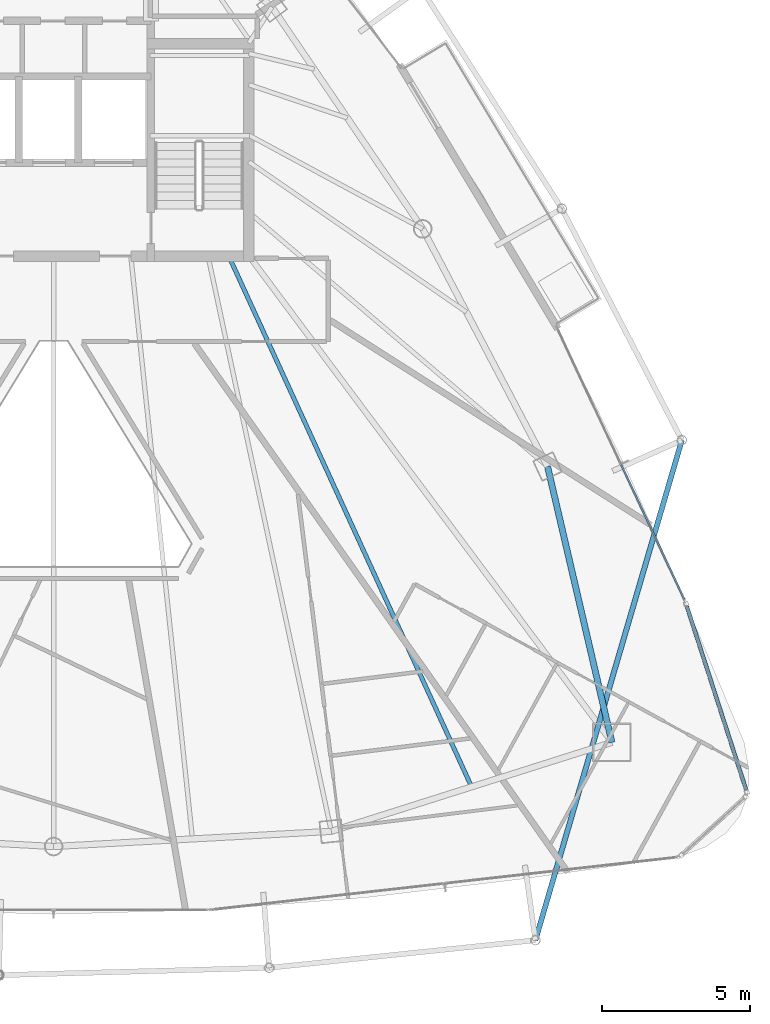
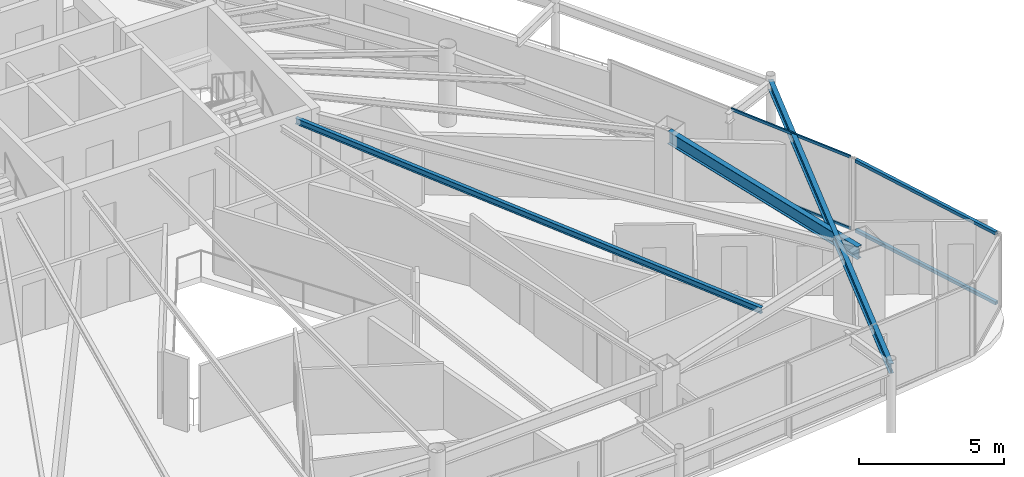
# One storey, part 17 of 33: 4 members, 3 beams, 2 elements without a shape of their own.
"""IFC4 building model written with IfcOpenShell, lengths in metres."""

from ifc_helpers import new_model, si_unit, direction, frame, origin, origin_2d, place, context, subcontext, project, spatial, hollow_rectangle, i_section, extrude, material, layer, layer_set, material_profile, profile_set, type_object, element, aggregate, save


model = new_model("IFC4")

# Units and contexts
model_context = context("Model", 3, precision=1e-05, world=origin(), true_north=direction((0.0, 1.0)))
body_context = subcontext(model_context, "Body", "Model", "MODEL_VIEW")
ifc_project = project(units=[si_unit("LENGTHUNIT", "METRE"), si_unit("AREAUNIT", "SQUARE_METRE"), si_unit("VOLUMEUNIT", "CUBIC_METRE"), si_unit("PLANEANGLEUNIT", "RADIAN"), si_unit("MASSUNIT", "GRAM", prefix="KILO")], contexts=[model_context])

# Site, building, storey
site_placement = place(None, origin())
site = spatial("IfcSite", under=ifc_project, at=site_placement, CompositionType="ELEMENT")
building_placement = place(site_placement, origin())
building = spatial("IfcBuilding", under=site, at=building_placement, Name="Orvanel Arch Residences", CompositionType="ELEMENT")
storey_placement = place(building_placement, frame((0.0, 0.0, 209.60009765625)))
storey = spatial("IfcBuildingStorey", under=building, at=storey_placement, Name="L59", CompositionType="ELEMENT", Elevation=209.60009765625)

# Beams
ifc_material_1 = material(Name="Structural steel AS/NZS 3679.1 Grade 300 (300 MPa)", Category="steel")
ifc_material_profile_1 = material_profile(ifc_material_1, i_section(OverallWidth=0.14599609375, OverallDepth=0.251953125, WebThickness=0.006103515625, FlangeThickness=0.008544921875, at=origin_2d()), Name="250UB31.4")
ifc_profile_set_1 = profile_set([ifc_material_profile_1], Name="Structural steel AS/NZS 3679.1 Grade 300 (300 MPa)")
beam_type_1 = type_object("IfcBeamType", Name="BJ-250UB", PredefinedType="JOIST", material=ifc_profile_set_1)
beam_1_placement = place(storey_placement, frame((38.89990234375, 26.72509765625, 2.933837890625), z_axis=(0.416009574066, -0.909360233508, 0.0), x_axis=(0.909360233508, 0.416009574066, 0.0)))
element("IfcBeam", 1, at=beam_1_placement, inside=storey, type_object=beam_type_1, Name="L59 JADD2 Wing Floor Joist", PredefinedType="JOIST", context=body_context, shape_type="SweptSolid", body=[
    extrude(i_section(OverallWidth=0.14599609375, OverallDepth=0.251953125, WebThickness=0.006103515625, FlangeThickness=0.008544921875, at=origin_2d()), origin(), (0.0, 0.0, 1.0), 19.653564453125),
])
ifc_material_profile_2 = material_profile(ifc_material_1, i_section(OverallWidth=0.177978515625, OverallDepth=0.406005859375, WebThickness=0.0078125, FlangeThickness=0.0126953125, at=origin_2d()), Name="410UB59.7")
ifc_profile_set_2 = profile_set([ifc_material_profile_2], Name="Structural steel AS/NZS 3679.1 Grade 300 (300 MPa)")
beam_type_2 = type_object("IfcBeamType", Name="OB-410UB-EXT", PredefinedType="SPANDREL", material=ifc_profile_set_2)
beam_2_placement = place(storey_placement, frame((49.22509765625, 3.68896484375, 2.85693359375), z_axis=(0.28109037373, 0.959681302202, 0.0), x_axis=(-0.959681302202, 0.28109037373, 0.0)))
element("IfcBeam", 2, at=beam_2_placement, inside=storey, type_object=beam_type_2, Name="L59 Outer Perimeter Floor Ring Beam 08", PredefinedType="SPANDREL", context=body_context, shape_type="SweptSolid", body=[
    extrude(i_section(OverallWidth=0.177978515625, OverallDepth=0.406005859375, WebThickness=0.0078125, FlangeThickness=0.0126953125, at=origin_2d()), origin(), (0.0, 0.0, 1.0), 17.545654296875),
])
ifc_material_profile_3 = material_profile(ifc_material_1, i_section(OverallWidth=0.208984375, OverallDepth=0.532958984375, WebThickness=0.01025390625, FlangeThickness=0.015625, at=origin_2d()), Name="530UB92.4")
ifc_profile_set_3 = profile_set([ifc_material_profile_3], Name="Structural steel AS/NZS 3679.1 Grade 300 (300 MPa)")
beam_type_3 = type_object("IfcBeamType", Name="SP-530UB", PredefinedType="SPANDREL", material=ifc_profile_set_3)
beam_3_placement = place(storey_placement, frame((51.801025390625, 10.35107421875, 2.79296875), z_axis=(-0.227236087167, 0.973839699688, 0.0), x_axis=(-0.973839699688, -0.227236087167, 0.0)))
element("IfcBeam", 3, at=beam_3_placement, inside=storey, type_object=beam_type_3, Name="L59 Perimeter Spandrel Beam 06", PredefinedType="SPANDREL", context=body_context, shape_type="SweptSolid", body=[
    extrude(i_section(OverallWidth=0.208984375, OverallDepth=0.532958984375, WebThickness=0.01025390625, FlangeThickness=0.015625, at=origin_2d()), origin(), (0.0, 0.0, 1.0), 9.54052734375),
])

# Curtain wall, members
ifc_material_2 = material(Name="Bronze-anodised aluminium AA6063-T6", Category="aluminium")
ifc_layer_1 = layer(ifc_material_2, 0.175048828125)
ifc_layer_set_1 = layer_set([ifc_layer_1], Name="Bronze-anodised aluminium AA6063-T6")
curtain_wall_type_1 = type_object("IfcCurtainWallType", Name="CW4-HI-SYS", PredefinedType="NOTDEFINED", material=ifc_layer_set_1)
curtain_wall_1_placement = place(storey_placement, origin())
curtain_wall_1 = element("IfcCurtainWall", 4, at=curtain_wall_1_placement, inside=storey, type_object=curtain_wall_type_1, Name="L59 CW4-HI-SYS Unitised Curtain Wall", PredefinedType="NOTDEFINED")
ifc_material_profile_4 = material_profile(ifc_material_2, hollow_rectangle(XDim=0.06005859375, YDim=0.1201171875, WallThickness=0.00341796875, at=origin_2d()), Name="ALU120x60x3.5")
ifc_profile_set_4 = profile_set([ifc_material_profile_4], Name="Bronze-anodised aluminium AA6063-T6")
member_type_1 = type_object("IfcMemberType", Name="TRN-120x60", PredefinedType="USERDEFINED", material=ifc_profile_set_4)
member_1_placement = place(storey_placement, frame((54.236328125, 15.1728515625, 0.02978515625), z_axis=(-0.424342503337, 0.90550176138, 0.0), x_axis=(-0.90550176138, -0.424342503337, 0.0)))
member_1 = element("IfcMember", 5, at=member_1_placement, type_object=member_type_1, Name="CW-S4 transom 1.1", ObjectType="TRANSOM", PredefinedType="USERDEFINED", context=body_context, shape_type="SweptSolid", body=[
    extrude(hollow_rectangle(XDim=0.06005859375, YDim=0.1201171875, WallThickness=0.00341796875, at=origin_2d()), origin(), (0.0, 0.0, 1.0), 4.997314453125),
])
member_2_placement = place(storey_placement, frame((54.236328125, 15.1728515625, 3.02978515625), z_axis=(-0.424342503337, 0.90550176138, 0.0), x_axis=(-0.90550176138, -0.424342503337, 0.0)))
member_2 = element("IfcMember", 6, at=member_2_placement, type_object=member_type_1, Name="CW-S4 transom 1.2", ObjectType="TRANSOM", PredefinedType="USERDEFINED", context=body_context, shape_type="SweptSolid", body=[
    extrude(hollow_rectangle(XDim=0.06005859375, YDim=0.1201171875, WallThickness=0.00341796875, at=origin_2d()), origin(), (0.0, 0.0, 1.0), 4.997314453125),
])
aggregate(curtain_wall_1, [member_1, member_2])

ifc_layer_2 = layer(ifc_material_2, 0.18994140625)
ifc_layer_set_2 = layer_set([ifc_layer_2], Name="Bronze-anodised aluminium AA6063-T6")
curtain_wall_type_2 = type_object("IfcCurtainWallType", Name="CW5-CRN-SYS", PredefinedType="NOTDEFINED", material=ifc_layer_set_2)
curtain_wall_2_placement = place(storey_placement, origin())
curtain_wall_2 = element("IfcCurtainWall", 7, at=curtain_wall_2_placement, inside=storey, type_object=curtain_wall_type_2, Name="L59 CW5-CRN-SYS Unitised Curtain Wall", PredefinedType="NOTDEFINED")
ifc_material_profile_5 = material_profile(ifc_material_2, hollow_rectangle(XDim=0.1298828125, YDim=0.1298828125, WallThickness=0.00439453125, at=origin_2d()), Name="ALU130x130x4.5")
ifc_profile_set_5 = profile_set([ifc_material_profile_5], Name="Bronze-anodised aluminium AA6063-T6")
member_type_2 = type_object("IfcMemberType", Name="TRN-130x130", PredefinedType="USERDEFINED", material=ifc_profile_set_5)
member_3_placement = place(storey_placement, frame((56.323974609375, 8.745849609375, 0.06494140625), z_axis=(-0.307486437879, 0.951552463357, 0.0), x_axis=(-0.951552463357, -0.307486437879, 0.0)))
member_3 = element("IfcMember", 8, at=member_3_placement, type_object=member_type_2, Name="CW-S5 transom 1.1", ObjectType="TRANSOM", PredefinedType="USERDEFINED", context=body_context, shape_type="SweptSolid", body=[
    extrude(hollow_rectangle(XDim=0.1298828125, YDim=0.1298828125, WallThickness=0.00439453125, at=origin_2d()), origin(), (0.0, 0.0, 1.0), 6.503662109375),
])
member_4_placement = place(storey_placement, frame((56.323974609375, 8.745849609375, 2.994873046875), z_axis=(-0.307486437879, 0.951552463357, 0.0), x_axis=(-0.951552463357, -0.307486437879, 0.0)))
member_4 = element("IfcMember", 9, at=member_4_placement, type_object=member_type_2, Name="CW-S5 transom 1.2", ObjectType="TRANSOM", PredefinedType="USERDEFINED", context=body_context, shape_type="SweptSolid", body=[
    extrude(hollow_rectangle(XDim=0.1298828125, YDim=0.1298828125, WallThickness=0.00439453125, at=origin_2d()), origin(), (0.0, 0.0, 1.0), 6.503662109375),
])
aggregate(curtain_wall_2, [member_3, member_4])

save(model, "model.ifc")
